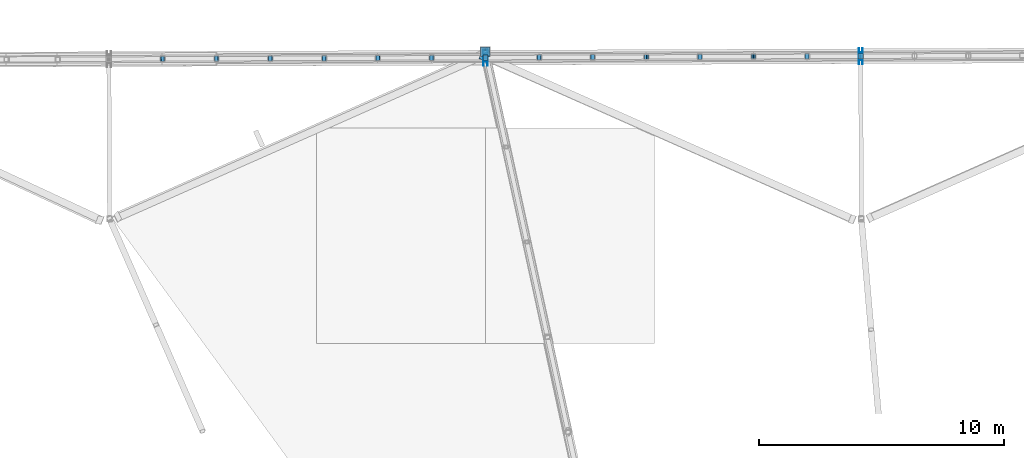
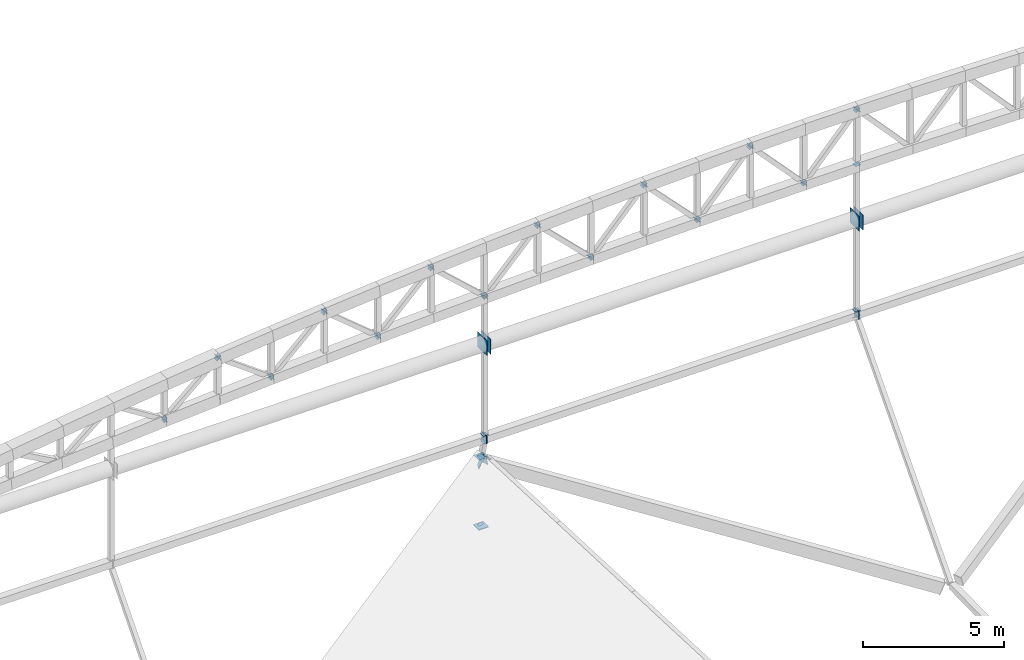
# One storey, part 171 of 188: 49 discrete accessories.
"""IFC4 building model written with IfcOpenShell, lengths in metres."""

import ifcopenshell
import ifcopenshell.guid

model = None  # the IFC model being written
_history = None  # IfcOwnerHistory: only IFC2X3 demands one
_inside = {}  # id of a spatial element -> (the spatial element, [elements in it])
_under = {}  # id of a project, library or spatial element -> (it, [spatial elements below it])
_declared = {}  # id of a project -> (the project, [libraries it declares])
_typed = {}  # id of a type object -> (the type object, [elements of that type])
_made_of = {}  # id of a material, layer set ... -> (it, [elements and type objects made of it])


def new_model(schema):
    """Start an empty IFC model of exactly this schema.

    Asked for "IFC4X3", IfcOpenShell would pick the latest addendum, in which some entities
    have other attributes; the version numbers below select the first issue.
    IFC2X3 requires an IfcOwnerHistory on every rooted entity: one is made here for all.
    """
    global model, _history
    if schema == "IFC4X3":
        model = ifcopenshell.file(schema_version=(4, 3, 0, 0))
    else:
        model = ifcopenshell.file(schema=schema)
    _inside.clear()
    _under.clear()
    _declared.clear()
    _typed.clear()
    _made_of.clear()
    _history = None
    if model.schema == "IFC2X3":
        org = make("IfcOrganization", Name="unknown")
        user = make(
            "IfcPersonAndOrganization",
            ThePerson=make("IfcPerson", FamilyName="unknown"),
            TheOrganization=org,
        )
        app = make(
            "IfcApplication",
            ApplicationDeveloper=org,
            Version="unknown",
            ApplicationFullName="unknown",
            ApplicationIdentifier="unknown",
        )
        _history = make(
            "IfcOwnerHistory",
            OwningUser=user,
            OwningApplication=app,
            ChangeAction="ADDED",
            CreationDate=0,
        )
    return model


def make(cls, **values):
    """One entity of the class cls with the attributes given. An attribute that is None is left unset."""
    return model.create_entity(
        cls, **{name: value for name, value in values.items() if value is not None}
    )


def rooted(cls, **values):
    """An entity with a GlobalId (a new one), such as an element, a storey or a relation."""
    return make(cls, GlobalId=ifcopenshell.guid.new(), OwnerHistory=_history, **values)


def si_unit(unit_type, name, prefix=None):
    """IfcSIUnit, for example si_unit("LENGTHUNIT", "METRE", prefix="MILLI")."""
    return make("IfcSIUnit", UnitType=unit_type, Prefix=prefix, Name=name)


def assignment(units):
    """IfcUnitAssignment: the units of a project."""
    return None if units is None else make("IfcUnitAssignment", Units=units)


def point(xyz):
    """IfcCartesianPoint."""
    return None if xyz is None else make("IfcCartesianPoint", Coordinates=xyz)


def direction(xyz):
    """IfcDirection."""
    return None if xyz is None else make("IfcDirection", DirectionRatios=xyz)


def frame(location, z_axis=None, x_axis=None):
    """IfcAxis2Placement3D, a coordinate frame: its origin and axes. An axis left out is left unset."""
    return make(
        "IfcAxis2Placement3D",
        Location=point(location),
        Axis=direction(z_axis),
        RefDirection=direction(x_axis),
    )


def frame_2d(location, x_axis=None):
    """IfcAxis2Placement2D, a coordinate frame in the plane: its origin and x axis."""
    return make(
        "IfcAxis2Placement2D", Location=point(location), RefDirection=direction(x_axis)
    )


def origin():
    """The frame at (0, 0, 0) with its axes left unset."""
    return frame((0.0, 0.0, 0.0))


def origin_2d():
    """The frame at (0, 0) in the plane with its x axis left unset."""
    return frame_2d((0.0, 0.0))


def place(relative_to, where):
    """IfcLocalPlacement: puts the frame where relative to a parent placement (None: the world)."""
    return make(
        "IfcLocalPlacement", PlacementRelTo=relative_to, RelativePlacement=where
    )


def context(
    kind, dimensions, precision=None, world=None, true_north=None, identifier=None
):
    """IfcGeometricRepresentationContext, for example the 3D "Model" context."""
    return make(
        "IfcGeometricRepresentationContext",
        ContextIdentifier=identifier,
        ContextType=kind,
        CoordinateSpaceDimension=dimensions,
        Precision=precision,
        WorldCoordinateSystem=world,
        TrueNorth=true_north,
    )


def subcontext(parent, identifier, kind, view, scale=None):
    """IfcGeometricRepresentationSubContext, for example "Body" below "Model"."""
    return make(
        "IfcGeometricRepresentationSubContext",
        ContextIdentifier=identifier,
        ContextType=kind,
        ParentContext=parent,
        TargetScale=scale,
        TargetView=view,
    )


def project(units=None, contexts=None):
    """IfcProject with its units and contexts."""
    return rooted(
        "IfcProject",
        Name="project",
        RepresentationContexts=contexts,
        UnitsInContext=assignment(units),
    )


def spatial(cls, under=None, at=None, **own):
    """A site, building, storey or space (cls), placed at a placement, below another one or the project."""
    s = rooted(cls, ObjectPlacement=at, **own)
    if under is not None:
        _under.setdefault(under.id(), (under, []))[1].append(s)
    return s


def profile(cls, at=None, kind="AREA", **sizes):
    """A parametric profile (cls). Its sizes go by their IFC names, for example OverallWidth=200.0."""
    return make(cls, ProfileType=kind, Position=at, **sizes)


def rectangle(**sizes):
    """IfcRectangleProfileDef."""
    return profile("IfcRectangleProfileDef", **sizes)


def extrude(swept, where, along, depth):
    """IfcExtrudedAreaSolid: the profile swept, set in the frame where, extruded along a direction by depth."""
    return make(
        "IfcExtrudedAreaSolid",
        SweptArea=swept,
        Position=where,
        ExtrudedDirection=direction(along),
        Depth=depth,
    )


def shape(context_of_items, identifier, shape_type, items):
    """IfcShapeRepresentation: the items that make up one representation, for example the "Body"."""
    return make(
        "IfcShapeRepresentation",
        ContextOfItems=context_of_items,
        RepresentationIdentifier=identifier,
        RepresentationType=shape_type,
        Items=items,
    )


def material(Name=None, Category=None):
    """IfcMaterial."""
    return make("IfcMaterial", Name=Name, Category=Category)


def material_profile(
    of_material, cross_section, Name=None, Category=None, Priority=None
):
    """IfcMaterialProfile: a cross section and its material."""
    return make(
        "IfcMaterialProfile",
        Name=Name,
        Material=of_material,
        Profile=cross_section,
        Priority=Priority,
        Category=Category,
    )


def profile_set(profiles, Name=None, composite=None):
    """IfcMaterialProfileSet."""
    return make(
        "IfcMaterialProfileSet",
        Name=Name,
        MaterialProfiles=profiles,
        CompositeProfile=composite,
    )


def made_of(thing, what):
    """Note that an element or type object is made of a material, layer set ...; save() writes the relation."""
    if what is not None:
        _made_of.setdefault(what.id(), (what, []))[1].append(thing)
    return thing


def type_object(cls, material=None, **own):
    """A type object (cls), such as IfcWallType, which elements share."""
    return made_of(rooted(cls, **own), material)


def element(
    cls,
    number,
    at=None,
    inside=None,
    cuts=None,
    type_object=None,
    material=None,
    context=None,
    identifier="Body",
    shape_type=None,
    held_by="IfcProductDefinitionShape",
    body=None,
    shapes=None,
    **own,
):
    """One element of the class cls, such as IfcWall. Its Tag is "e" and its number.

    at: its placement. inside: the storey or other place that contains it. cuts: it is an
    opening in that element (IfcRelVoidsElement). A single representation is given by context,
    identifier, shape_type and body (its items); several are given by shapes. held_by: the class
    of the entity that holds the representations. save() writes the other relations.
    """
    e = rooted(cls, Tag="e%d" % number, ObjectPlacement=at, **own)
    if body is not None:
        shapes = [shape(context, identifier, shape_type, body)]
    if shapes is not None:
        e.Representation = make(held_by, Representations=shapes)
    if inside is not None:
        _inside.setdefault(inside.id(), (inside, []))[1].append(e)
    if cuts is not None:
        rooted(
            "IfcRelVoidsElement", RelatingBuildingElement=cuts, RelatedOpeningElement=e
        )
    if type_object is not None:
        _typed.setdefault(type_object.id(), (type_object, []))[1].append(e)
    return made_of(e, material)


def aggregate(whole, parts):
    """IfcRelAggregates: a whole, such as a stair, and the parts it consists of."""
    return rooted("IfcRelAggregates", RelatingObject=whole, RelatedObjects=parts)


def save(model, path):
    """Write the relations noted so far, then the file.

    IfcRelAggregates (storeys below a building ...), IfcRelContainedInSpatialStructure (elements
    in a storey), IfcRelDefinesByType, IfcRelAssociatesMaterial and IfcRelDeclares: one each for
    every whole, place, type object, material and project.
    """
    for whole, parts in _under.values():
        aggregate(whole, parts)
    for where, things in _inside.values():
        rooted(
            "IfcRelContainedInSpatialStructure",
            RelatedElements=things,
            RelatingStructure=where,
        )
    for kind, things in _typed.values():
        rooted("IfcRelDefinesByType", RelatedObjects=things, RelatingType=kind)
    for what, things in _made_of.values():
        rooted("IfcRelAssociatesMaterial", RelatedObjects=things, RelatingMaterial=what)
    for by, libraries in _declared.values():
        rooted("IfcRelDeclares", RelatingContext=by, RelatedDefinitions=libraries)
    model.write(path)


model = new_model("IFC4")

# Units and contexts
model_context = context("Model", 3, precision=1e-05, world=origin(), true_north=direction((0.0, 1.0)))
body_context = subcontext(model_context, "Body", "Model", "MODEL_VIEW")
ifc_project = project(units=[si_unit("LENGTHUNIT", "METRE"), si_unit("AREAUNIT", "SQUARE_METRE"), si_unit("VOLUMEUNIT", "CUBIC_METRE"), si_unit("PLANEANGLEUNIT", "RADIAN"), si_unit("MASSUNIT", "GRAM", prefix="KILO")], contexts=[model_context])

# Site, building, storey
site_placement = place(None, origin())
site = spatial("IfcSite", under=ifc_project, at=site_placement, CompositionType="ELEMENT")
building_placement = place(site_placement, origin())
building = spatial("IfcBuilding", under=site, at=building_placement, Name="Meseta Stadium", CompositionType="ELEMENT")
storey_placement = place(building_placement, frame((0.0, 0.0, 30.0)))
storey = spatial("IfcBuildingStorey", under=building, at=storey_placement, Name="ROOF", CompositionType="ELEMENT", Elevation=30.0)

# Discrete accessories
ifc_material_1 = material(Name="Steel S355", Category="steel")
ifc_material_profile_1 = material_profile(ifc_material_1, rectangle(XDim=0.219970703125, YDim=0.219970703125, at=origin_2d()), Name="PL 220x220")
ifc_profile_set_1 = profile_set([ifc_material_profile_1], Name="Steel S355")
discrete_accessory_type_1 = type_object("IfcDiscreteAccessoryType", Name="End plate 220x220x20", PredefinedType="ANCHORPLATE", material=ifc_profile_set_1)
discrete_accessory_1_placement = place(storey_placement, frame((-23.0, 105.39990234375, 7.481689453125), z_axis=(-0.181196954177, 0.869745380051, -0.459032283916), x_axis=(-0.978980419738, -0.203954254112, 0.0)))
element("IfcDiscreteAccessory", 1, at=discrete_accessory_1_placement, inside=storey, type_object=discrete_accessory_type_1, Name="End plate of ROOF TRUSS RT-20 diagonal", PredefinedType="ANCHORPLATE", context=body_context, shape_type="SweptSolid", body=[
    extrude(rectangle(XDim=0.219970703125, YDim=0.219970703125, at=origin_2d()), origin(), (0.0, 0.0, 1.0), 0.020263671875),
])
discrete_accessory_2_placement = place(storey_placement, frame((-7.692138671875, 105.222900390625, 20.298828125), z_axis=(-0.675724628517, 0.0, 0.737154140201), x_axis=(0.0, -1.0, 0.0)))
element("IfcDiscreteAccessory", 2, at=discrete_accessory_2_placement, inside=storey, type_object=discrete_accessory_type_1, Name="End plate of GABLE ARCH GA-N diagonal", PredefinedType="ANCHORPLATE", context=body_context, shape_type="SweptSolid", body=[
    extrude(rectangle(XDim=0.219970703125, YDim=0.219970703125, at=origin_2d()), origin(), (0.0, 0.0, 1.0), 0.019775390625),
])
discrete_accessory_3_placement = place(storey_placement, frame((-7.6787109375, 105.222900390625, 20.313720703125), z_axis=(-0.669637121797, 0.0, -0.742688444175), x_axis=(0.0, -1.0, 0.0)))
element("IfcDiscreteAccessory", 3, at=discrete_accessory_3_placement, inside=storey, type_object=discrete_accessory_type_1, Name="End plate of GABLE ARCH GA-N diagonal", PredefinedType="ANCHORPLATE", context=body_context, shape_type="SweptSolid", body=[
    extrude(rectangle(XDim=0.219970703125, YDim=0.219970703125, at=origin_2d()), origin(), (0.0, 0.0, 1.0), 0.02001953125),
])
discrete_accessory_4_placement = place(storey_placement, frame((-9.87890625, 105.214599609375, 17.89013671875), z_axis=(-0.675673636205, -0.012284975204, -0.737098512223), x_axis=(0.018178813668, -0.999834751713, 0.0)))
element("IfcDiscreteAccessory", 4, at=discrete_accessory_4_placement, inside=storey, type_object=discrete_accessory_type_1, Name="End plate of GABLE ARCH GA-N diagonal", PredefinedType="ANCHORPLATE", context=body_context, shape_type="SweptSolid", body=[
    extrude(rectangle(XDim=0.219970703125, YDim=0.219970703125, at=origin_2d()), origin(), (0.0, 0.0, 1.0), 0.019775390625),
])
discrete_accessory_5_placement = place(storey_placement, frame((-9.865234375, 105.214599609375, 17.87548828125), z_axis=(-0.68231825036, 0.0, 0.731055268243), x_axis=(0.0, -1.0, 0.0)))
element("IfcDiscreteAccessory", 5, at=discrete_accessory_5_placement, inside=storey, type_object=discrete_accessory_type_1, Name="End plate of GABLE ARCH GA-N diagonal", PredefinedType="ANCHORPLATE", context=body_context, shape_type="SweptSolid", body=[
    extrude(rectangle(XDim=0.219970703125, YDim=0.219970703125, at=origin_2d()), origin(), (0.0, 0.0, 1.0), 0.02001953125),
])
discrete_accessory_6_placement = place(storey_placement, frame((-12.065673828125, 105.2060546875, 20.2451171875), z_axis=(-0.675724628517, 0.0, 0.737154140201), x_axis=(0.0, -1.0, 0.0)))
element("IfcDiscreteAccessory", 6, at=discrete_accessory_6_placement, inside=storey, type_object=discrete_accessory_type_1, Name="End plate of GABLE ARCH GA-N diagonal", PredefinedType="ANCHORPLATE", context=body_context, shape_type="SweptSolid", body=[
    extrude(rectangle(XDim=0.219970703125, YDim=0.219970703125, at=origin_2d()), origin(), (0.0, 0.0, 1.0), 0.019775390625),
])
discrete_accessory_7_placement = place(storey_placement, frame((-12.052001953125, 105.2060546875, 20.260009765625), z_axis=(-0.676271292685, 0.0, -0.736652658103), x_axis=(0.0, -1.0, 0.0)))
element("IfcDiscreteAccessory", 7, at=discrete_accessory_7_placement, inside=storey, type_object=discrete_accessory_type_1, Name="End plate of GABLE ARCH GA-N diagonal", PredefinedType="ANCHORPLATE", context=body_context, shape_type="SweptSolid", body=[
    extrude(rectangle(XDim=0.219970703125, YDim=0.219970703125, at=origin_2d()), origin(), (0.0, 0.0, 1.0), 0.020263671875),
])
for number, where, z_axis, x_axis, name in (
    (8, (-14.252197265625, 105.19775390625, 17.839599609375), (-0.669587495153, -0.012174318094, -0.742633403715), (0.018178813668, -0.999834751713, 0.0), "End plate of GABLE ARCH GA-N diagonal"),
    (9, (-14.23828125, 105.19775390625, 17.8251953125), (-0.694812020929, 0.0, 0.719191390085), (0.0, -1.0, 0.0), "End plate of GABLE ARCH GA-N diagonal"),
    (10, (-16.43896484375, 105.189208984375, 20.112060546875), (-0.694812020929, 0.0, 0.719191390085), (0.0, -1.0, 0.0), "End plate of GABLE ARCH GA-N diagonal"),
    (11, (-16.42529296875, 105.189208984375, 20.126708984375), (-0.68231825036, 0.0, -0.731055268243), (0.0, -1.0, 0.0), "End plate of GABLE ARCH GA-N diagonal"),
    (12, (-18.625732421875, 105.180908203125, 17.7451171875), (-0.669637121797, 0.0, -0.742688444175), (0.0, -1.0, 0.0), "End plate of GABLE ARCH GA-N diagonal"),
):
    element("IfcDiscreteAccessory", number, at=place(storey_placement, frame(where, z_axis=z_axis, x_axis=x_axis)), inside=storey, type_object=discrete_accessory_type_1, Name=name, PredefinedType="ANCHORPLATE", context=body_context, shape_type="SweptSolid", body=[
        extrude(rectangle(XDim=0.219970703125, YDim=0.219970703125, at=origin_2d()), origin(), (0.0, 0.0, 1.0), 0.02001953125),
    ])
discrete_accessory_8_placement = place(storey_placement, frame((-18.611328125, 105.180908203125, 17.73095703125), z_axis=(-0.713124382013, 0.0, 0.701037528081), x_axis=(0.0, -1.0, 0.0)))
element("IfcDiscreteAccessory", 13, at=discrete_accessory_8_placement, inside=storey, type_object=discrete_accessory_type_1, Name="End plate of GABLE ARCH GA-N diagonal", PredefinedType="ANCHORPLATE", context=body_context, shape_type="SweptSolid", body=[
    extrude(rectangle(XDim=0.219970703125, YDim=0.219970703125, at=origin_2d()), origin(), (0.0, 0.0, 1.0), 0.020263671875),
])
discrete_accessory_9_placement = place(storey_placement, frame((-20.8125, 105.17236328125, 19.900146484375), z_axis=(-0.713228571152, 0.0, 0.700931526822), x_axis=(0.0, -1.0, 0.0)))
element("IfcDiscreteAccessory", 14, at=discrete_accessory_9_placement, inside=storey, type_object=discrete_accessory_type_1, Name="End plate of GABLE ARCH GA-N diagonal", PredefinedType="ANCHORPLATE", context=body_context, shape_type="SweptSolid", body=[
    extrude(rectangle(XDim=0.219970703125, YDim=0.219970703125, at=origin_2d()), origin(), (0.0, 0.0, 1.0), 0.019775390625),
])
for number, where, z_axis, x_axis, name in (
    (15, (-20.798583984375, 105.172607421875, 19.91455078125), (-0.694760406175, -0.012188779056, -0.719137964286), (0.017541160386, -0.99984614201, 0.0), "End plate of GABLE ARCH GA-N diagonal"),
    (16, (-22.9990234375, 105.1640625, 17.605712890625), (-0.694812020929, 0.0, -0.719191390085), (0.0, -1.0, 0.0), "End plate of GABLE ARCH GA-N diagonal"),
):
    element("IfcDiscreteAccessory", number, at=place(storey_placement, frame(where, z_axis=z_axis, x_axis=x_axis)), inside=storey, type_object=discrete_accessory_type_1, Name=name, PredefinedType="ANCHORPLATE", context=body_context, shape_type="SweptSolid", body=[
        extrude(rectangle(XDim=0.219970703125, YDim=0.219970703125, at=origin_2d()), origin(), (0.0, 0.0, 1.0), 0.02001953125),
    ])
discrete_accessory_10_placement = place(storey_placement, frame((-22.984375, 105.1640625, 17.59228515625), z_axis=(-0.737154140201, 0.0, 0.675724628517), x_axis=(0.0, -1.0, 0.0)))
element("IfcDiscreteAccessory", 17, at=discrete_accessory_10_placement, inside=storey, type_object=discrete_accessory_type_1, Name="End plate of GABLE ARCH GA-N diagonal", PredefinedType="ANCHORPLATE", context=body_context, shape_type="SweptSolid", body=[
    extrude(rectangle(XDim=0.219970703125, YDim=0.219970703125, at=origin_2d()), origin(), (0.0, 0.0, 1.0), 0.019775390625),
])
for number, where, z_axis, x_axis, name in (
    (18, (-25.193359375, 105.155517578125, 19.610107421875), (-0.731055268243, 0.0, 0.68231825036), (0.0, -1.0, 0.0), "End plate of GABLE ARCH GA-N diagonal"),
    (19, (-25.17919921875, 105.155517578125, 19.624267578125), (-0.707106781187, 0.0, -0.707106781187), (0.0, -1.0, 0.0), "End plate of GABLE ARCH GA-N diagonal"),
):
    element("IfcDiscreteAccessory", number, at=place(storey_placement, frame(where, z_axis=z_axis, x_axis=x_axis)), inside=storey, type_object=discrete_accessory_type_1, Name=name, PredefinedType="ANCHORPLATE", context=body_context, shape_type="SweptSolid", body=[
        extrude(rectangle(XDim=0.219970703125, YDim=0.219970703125, at=origin_2d()), origin(), (0.0, 0.0, 1.0), 0.02001953125),
    ])
discrete_accessory_11_placement = place(storey_placement, frame((-27.387451171875, 105.147216796875, 17.419677734375), z_axis=(-0.713174651018, -0.012296114673, -0.700878536345), x_axis=(0.017238817251, -0.999851400549, 0.0)))
element("IfcDiscreteAccessory", 20, at=discrete_accessory_11_placement, inside=storey, type_object=discrete_accessory_type_1, Name="End plate of GABLE ARCH GA-N diagonal", PredefinedType="ANCHORPLATE", context=body_context, shape_type="SweptSolid", body=[
    extrude(rectangle(XDim=0.219970703125, YDim=0.219970703125, at=origin_2d()), origin(), (0.0, 0.0, 1.0), 0.019775390625),
])
for number, where, z_axis, x_axis, name in (
    (21, (-27.3720703125, 105.147216796875, 17.406982421875), (-0.771223025002, 0.0, 0.63656503651), (0.0, -1.0, 0.0), "End plate of GABLE ARCH GA-N diagonal"),
    (22, (-29.58154296875, 105.138671875, 19.243408203125), (-0.771223025002, 0.0, 0.63656503651), (0.0, -1.0, 0.0), "End plate of GABLE ARCH GA-N diagonal"),
):
    element("IfcDiscreteAccessory", number, at=place(storey_placement, frame(where, z_axis=z_axis, x_axis=x_axis)), inside=storey, type_object=discrete_accessory_type_1, Name=name, PredefinedType="ANCHORPLATE", context=body_context, shape_type="SweptSolid", body=[
        extrude(rectangle(XDim=0.219970703125, YDim=0.219970703125, at=origin_2d()), origin(), (0.0, 0.0, 1.0), 0.02001953125),
    ])
discrete_accessory_12_placement = place(storey_placement, frame((-29.567138671875, 105.138671875, 19.257080078125), z_axis=(-0.725306290926, 0.0, -0.688426310031), x_axis=(0.0, -1.0, 0.0)))
element("IfcDiscreteAccessory", 23, at=discrete_accessory_12_placement, inside=storey, type_object=discrete_accessory_type_1, Name="End plate of GABLE ARCH GA-N diagonal", PredefinedType="ANCHORPLATE", context=body_context, shape_type="SweptSolid", body=[
    extrude(rectangle(XDim=0.219970703125, YDim=0.219970703125, at=origin_2d()), origin(), (0.0, 0.0, 1.0), 0.019775390625),
])
for number, where, z_axis, x_axis, name in (
    (24, (-31.77587890625, 105.13037109375, 17.185546875), (-0.731001009493, -0.012183350158, -0.68226760886), (0.016664352334, -0.99986114004, 0.0), "End plate of GABLE ARCH GA-N diagonal"),
    (25, (-31.759765625, 105.13037109375, 17.173828125), (-0.808736084303, 0.0, 0.588171697675), (0.0, -1.0, 0.0), "End plate of GABLE ARCH GA-N diagonal"),
    (26, (-33.969970703125, 105.121826171875, 18.8017578125), (-0.802910201746, 0.0, 0.596099998266), (0.0, -1.0, 0.0), "End plate of GABLE ARCH GA-N diagonal"),
    (27, (-33.954833984375, 105.121826171875, 18.81494140625), (-0.754081595886, 0.0, -0.656780744804), (0.0, -1.0, 0.0), "End plate of GABLE ARCH GA-N diagonal"),
    (28, (-36.1640625, 105.11328125, 16.901123046875), (-0.760121344352, 0.0, -0.649781149204), (0.0, -1.0, 0.0), "End plate of GABLE ARCH GA-N diagonal"),
    (29, (-36.147216796875, 105.113525390625, 16.890380859375), (-0.843095010527, -0.012218768269, 0.537625803814), (0.014491231835, -0.999894996587, 0.0), "End plate of GABLE ARCH GA-N diagonal"),
    (30, (-7.692138671875, 105.222900390625, 17.91943359375), (0.0, 0.0, -1.0), (1.0, 0.0, 0.0), "End plate of GABLE ARCH GA-N hanger RT-19"),
    (31, (-7.692138671875, 105.222900390625, 11.60009765625), (0.0, 0.0, -1.0), (1.0, 0.0, 0.0), "End plate of GABLE ARCH GA-N hanger RT-19"),
):
    element("IfcDiscreteAccessory", number, at=place(storey_placement, frame(where, z_axis=z_axis, x_axis=x_axis)), inside=storey, type_object=discrete_accessory_type_1, Name=name, PredefinedType="ANCHORPLATE", context=body_context, shape_type="SweptSolid", body=[
        extrude(rectangle(XDim=0.219970703125, YDim=0.219970703125, at=origin_2d()), origin(), (0.0, 0.0, 1.0), 0.02001953125),
    ])
discrete_accessory_13_placement = place(storey_placement, frame((-7.692138671875, 105.236083984375, 11.31494140625), z_axis=(0.0, -0.662838691033, -0.748762225055), x_axis=(1.0, 0.0, 0.0)))
element("IfcDiscreteAccessory", 32, at=discrete_accessory_13_placement, inside=storey, type_object=discrete_accessory_type_1, Name="End plate of GABLE ARCH GA-N hanger RT-19", PredefinedType="ANCHORPLATE", context=body_context, shape_type="SweptSolid", body=[
    extrude(rectangle(XDim=0.219970703125, YDim=0.219970703125, at=origin_2d()), origin(), (0.0, 0.0, 1.0), 0.019775390625),
])
for number, where, z_axis, x_axis, name in (
    (33, (-22.9990234375, 105.1640625, 17.625732421875), (0.0, 0.0, -1.0), (1.0, 0.0, 0.0), "End plate of GABLE ARCH GA-N hanger RT-20"),
    (34, (-22.9990234375, 105.1640625, 11.60009765625), (0.0, 0.0, -1.0), (1.0, 0.0, 0.0), "End plate of GABLE ARCH GA-N hanger RT-20"),
    (35, (-22.9990234375, 105.158447265625, 11.3193359375), (0.0, 0.279533267892, -0.960136007106), (-1.0, 0.0, 0.0), "End plate of GABLE ARCH GA-N hanger RT-20"),
    (36, (-23.0, 105.39990234375, 10.481689453125), (0.0, 0.279533267892, -0.960136007106), (-1.0, 0.0, 0.0), "End plate of GABLE ARCH GA-N hanger RT-20"),
):
    element("IfcDiscreteAccessory", number, at=place(storey_placement, frame(where, z_axis=z_axis, x_axis=x_axis)), inside=storey, type_object=discrete_accessory_type_1, Name=name, PredefinedType="ANCHORPLATE", context=body_context, shape_type="SweptSolid", body=[
        extrude(rectangle(XDim=0.219970703125, YDim=0.219970703125, at=origin_2d()), origin(), (0.0, 0.0, 1.0), 0.02001953125),
    ])
ifc_material_2 = material(Name="Steel S355", Category="steel")
ifc_material_profile_2 = material_profile(ifc_material_2, rectangle(XDim=0.340087890625, YDim=0.340087890625, at=origin_2d()), Name="PL 340x340")
ifc_profile_set_2 = profile_set([ifc_material_profile_2], Name="Steel S355")
discrete_accessory_type_2 = type_object("IfcDiscreteAccessoryType", Name="End plate 340x340x20", PredefinedType="ANCHORPLATE", material=ifc_profile_set_2)
for number, where, z_axis, x_axis, name in (
    (37, (-7.692138671875, 105.222900390625, 11.449951171875), (-1.0, 0.0, 0.0), (0.0, -1.0, 0.0), "End plate of GABLE ARCH GA-N sill beam 03"),
    (38, (-7.672119140625, 105.222900390625, 11.449951171875), (-1.0, 0.0, 0.0), (0.0, -1.0, 0.0), "End plate of GABLE ARCH GA-N sill beam 04"),
    (39, (-22.9990234375, 105.1640625, 11.449951171875), (-1.0, 0.0, 0.0), (0.0, -1.0, 0.0), "End plate of GABLE ARCH GA-N sill beam 04"),
    (40, (-22.97900390625, 105.1640625, 11.449951171875), (-1.0, 0.0, 0.0), (0.0, -1.0, 0.0), "End plate of GABLE ARCH GA-N sill beam 05"),
):
    element("IfcDiscreteAccessory", number, at=place(storey_placement, frame(where, z_axis=z_axis, x_axis=x_axis)), inside=storey, type_object=discrete_accessory_type_2, Name=name, PredefinedType="ANCHORPLATE", context=body_context, shape_type="SweptSolid", body=[
        extrude(rectangle(XDim=0.340087890625, YDim=0.340087890625, at=origin_2d()), origin(), (0.0, 0.0, 1.0), 0.02001953125),
    ])
ifc_material_3 = material(Name="Steel S355", Category="steel")
ifc_material_profile_3 = material_profile(ifc_material_3, rectangle(XDim=0.340087890625, YDim=0.5400390625, at=origin_2d()), Name="PL 340x540")
ifc_profile_set_3 = profile_set([ifc_material_profile_3], Name="Steel S355")
discrete_accessory_type_3 = type_object("IfcDiscreteAccessoryType", Name="End plate 340x540x20", PredefinedType="ANCHORPLATE", material=ifc_profile_set_3)
discrete_accessory_14_placement = place(storey_placement, frame((-23.084716796875, 105.24169921875, 10.42138671875), z_axis=(-0.847504831008, 0.375323568018, 0.375323568018), x_axis=(-0.386067412858, -0.921147817915, 0.049382692106)))
element("IfcDiscreteAccessory", 41, at=discrete_accessory_14_placement, inside=storey, type_object=discrete_accessory_type_3, Name="End plate of RIM RING BEAM 20", PredefinedType="ANCHORPLATE", context=body_context, shape_type="SweptSolid", body=[
    extrude(rectangle(XDim=0.340087890625, YDim=0.5400390625, at=origin_2d()), origin(), (0.0, 0.0, 1.0), 0.020263671875),
])
discrete_accessory_15_placement = place(storey_placement, frame((-22.935546875, 105.3564453125, 10.40576171875), z_axis=(-0.844040643991, -0.379206666141, -0.379206666141), x_axis=(0.456967669706, -0.878636723113, -0.138484864298)))
element("IfcDiscreteAccessory", 42, at=discrete_accessory_15_placement, inside=storey, type_object=discrete_accessory_type_3, Name="End plate of RIM RING BEAM 21", PredefinedType="ANCHORPLATE", context=body_context, shape_type="SweptSolid", body=[
    extrude(rectangle(XDim=0.340087890625, YDim=0.5400390625, at=origin_2d()), origin(), (0.0, 0.0, 1.0), 0.02001953125),
])
ifc_material_4 = material(Name="Steel S355", Category="steel")
ifc_material_profile_4 = material_profile(ifc_material_4, rectangle(XDim=0.389892578125, YDim=0.389892578125, at=origin_2d()), Name="PL 390x390")
ifc_profile_set_4 = profile_set([ifc_material_profile_4], Name="Steel S355")
discrete_accessory_type_4 = type_object("IfcDiscreteAccessoryType", Name="End plate 390x390x20", PredefinedType="ANCHORPLATE", material=ifc_profile_set_4)
for number, where, z_axis, x_axis, name in (
    (43, (-23.0, 105.39990234375, 7.461669921875), (0.0, 0.0, 1.0), (1.0, 0.0, 0.0), "End plate of ROOF TRUSS RT-20 post"),
    (44, (-23.0, 105.39990234375, 10.481689453125), (0.0, 0.0, 1.0), (1.0, 0.0, 0.0), "End plate of ROOF TRUSS RT-20 post"),
    (45, (-23.0, 105.39990234375, 7.481689453125), (0.0, 0.0, 1.0), (1.0, 0.0, 0.0), "End plate of ROOF RIM POST RT-20"),
):
    element("IfcDiscreteAccessory", number, at=place(storey_placement, frame(where, z_axis=z_axis, x_axis=x_axis)), inside=storey, type_object=discrete_accessory_type_4, Name=name, PredefinedType="ANCHORPLATE", context=body_context, shape_type="SweptSolid", body=[
        extrude(rectangle(XDim=0.389892578125, YDim=0.389892578125, at=origin_2d()), origin(), (0.0, 0.0, 1.0), 0.02001953125),
    ])
ifc_material_5 = material(Name="Steel S355", Category="steel")
ifc_material_profile_5 = material_profile(ifc_material_5, rectangle(XDim=0.64990234375, YDim=0.64990234375, at=origin_2d()), Name="PL 650x650")
ifc_profile_set_5 = profile_set([ifc_material_profile_5], Name="Steel S355")
discrete_accessory_type_5 = type_object("IfcDiscreteAccessoryType", Name="End plate 650x650x20", PredefinedType="ANCHORPLATE", material=ifc_profile_set_5)
for number, where, z_axis, x_axis, name in (
    (46, (-7.60205078125, 105.22314453125, 15.550048828125), (-1.0, 0.0, 0.0), (0.0, -1.0, 0.0), "End plate of GABLE ARCH GA-N tie 03"),
    (47, (-7.76220703125, 105.22265625, 15.550048828125), (-1.0, 0.0, 0.0), (0.0, -1.0, 0.0), "End plate of GABLE ARCH GA-N tie 04"),
    (48, (-22.9091796875, 105.164306640625, 15.550048828125), (-1.0, 0.0, 0.0), (0.0, -1.0, 0.0), "End plate of GABLE ARCH GA-N tie 04"),
    (49, (-23.069091796875, 105.163818359375, 15.550048828125), (-0.999925647793, -0.012194215217, 0.0), (0.012194215217, -0.999925647793, 0.0), "End plate of GABLE ARCH GA-N tie 05"),
):
    element("IfcDiscreteAccessory", number, at=place(storey_placement, frame(where, z_axis=z_axis, x_axis=x_axis)), inside=storey, type_object=discrete_accessory_type_5, Name=name, PredefinedType="ANCHORPLATE", context=body_context, shape_type="SweptSolid", body=[
        extrude(rectangle(XDim=0.64990234375, YDim=0.64990234375, at=origin_2d()), origin(), (0.0, 0.0, 1.0), 0.02001953125),
    ])

save(model, "model.ifc")
